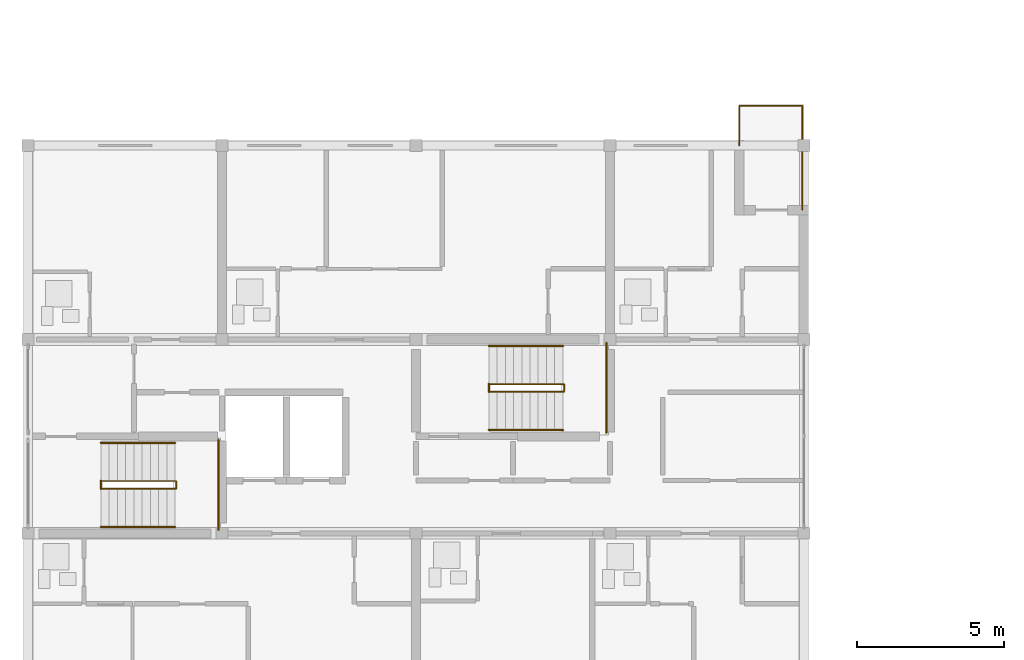
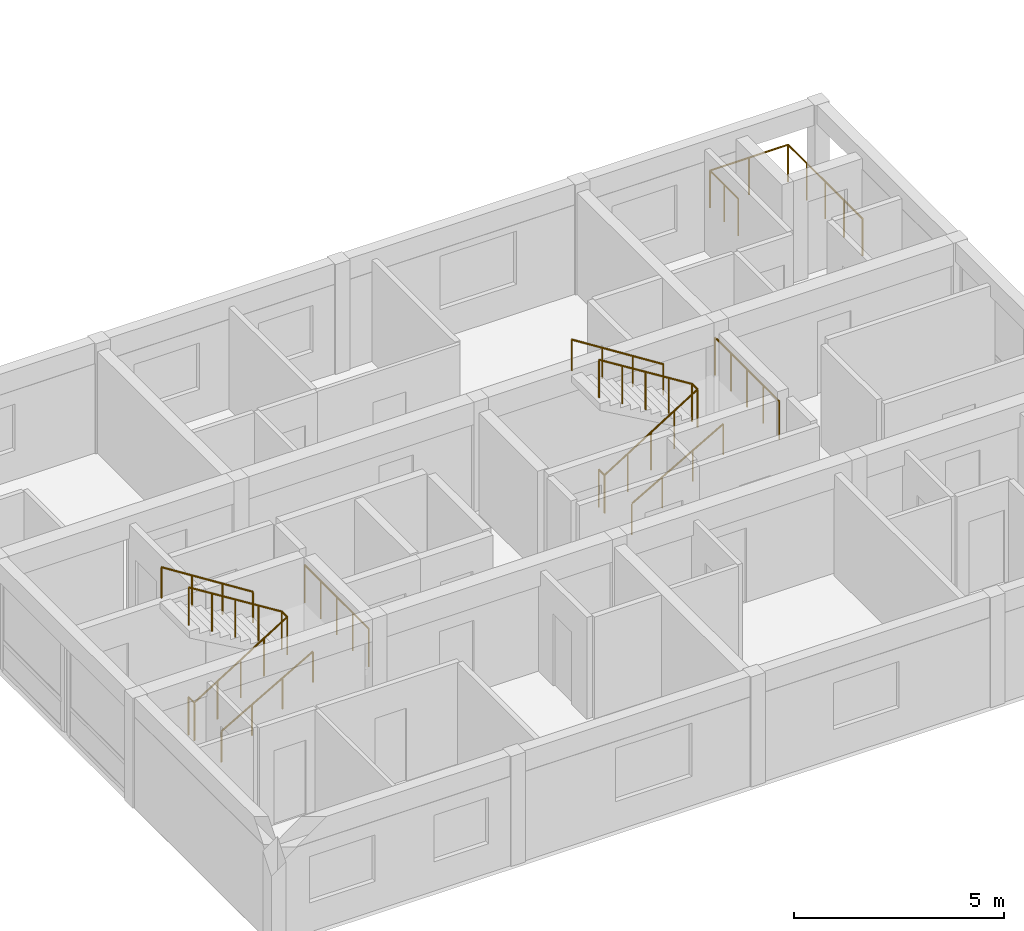
# One storey, part 40 of 45: 11 railings.
"""IFC4 building model written with IfcOpenShell, lengths in metres."""

from ifc_helpers import new_model, si_unit, direction, frame, origin, origin_2d, place, context, subcontext, project, spatial, circle, extrude, material, type_object, element, save


model = new_model("IFC4")

# Units and contexts
model_context = context("Model", 3, precision=1e-05, world=origin(), true_north=direction((0.0, 1.0)))
body_context = subcontext(model_context, "Body", "Model", "MODEL_VIEW")
ifc_project = project(units=[si_unit("LENGTHUNIT", "METRE"), si_unit("AREAUNIT", "SQUARE_METRE"), si_unit("VOLUMEUNIT", "CUBIC_METRE"), si_unit("PLANEANGLEUNIT", "RADIAN"), si_unit("MASSUNIT", "GRAM", prefix="KILO")], contexts=[model_context])

# Site, building, storey
site_placement = place(None, origin())
site = spatial("IfcSite", under=ifc_project, at=site_placement, CompositionType="ELEMENT")
building_placement = place(site_placement, origin())
building = spatial("IfcBuilding", under=site, at=building_placement, Name="Kernevlak Ridge Housing Community", CompositionType="ELEMENT")
storey_placement = place(building_placement, frame((0.0, 0.0, 21.199951171875)))
storey = spatial("IfcBuildingStorey", under=building, at=storey_placement, Name="L06", CompositionType="ELEMENT", Elevation=21.199951171875)

# Railings
ifc_material_1 = material(Name="Steel S355", Category="steel")
railing_type_1 = type_object("IfcRailingType", Name="BL-01", PredefinedType="BALUSTRADE", material=ifc_material_1)
railing_1_placement = place(storey_placement, frame((39.800048828125, 35.39990234375, 0.0)))
element("IfcRailing", 1, at=railing_1_placement, inside=storey, type_object=railing_type_1, Name="Block D L06 balcony balustrade BL-01 52", PredefinedType="BALUSTRADE", context=body_context, shape_type="SweptSolid", body=[
    extrude(circle(Radius=0.02392578125, at=origin_2d()), frame((0.0, 0.0, 1.076171875), z_axis=(0.0, 1.0, 0.0), x_axis=(-1.0, 0.0, 0.0)), (0.0, 0.0, 1.0), 1.35009765625),
    extrude(circle(Radius=0.02392578125, at=origin_2d()), frame((0.0, 1.35009765625, 1.076171875), z_axis=(1.0, 0.0, 0.0), x_axis=(0.0, 1.0, 0.0)), (0.0, 0.0, 1.0), 2.14990234375),
    extrude(circle(Radius=0.02392578125, at=origin_2d()), frame((2.14990234375, 1.35009765625, 1.076171875), z_axis=(0.0, -1.0, 0.0), x_axis=(1.0, 0.0, 0.0)), (0.0, 0.0, 1.0), 3.550048828125),
    extrude(circle(Radius=0.02099609375, at=origin_2d()), origin(), (0.0, 0.0, 1.0), 1.052001953125),
    extrude(circle(Radius=0.02099609375, at=origin_2d()), frame((0.0, 0.675048828125, 0.0)), (0.0, 0.0, 1.0), 1.052001953125),
    extrude(circle(Radius=0.02099609375, at=origin_2d()), frame((0.0, 1.35009765625, 0.0)), (0.0, 0.0, 1.0), 1.052001953125),
    extrude(circle(Radius=0.02099609375, at=origin_2d()), frame((1.074951171875, 1.35009765625, 0.0)), (0.0, 0.0, 1.0), 1.052001953125),
    extrude(circle(Radius=0.02099609375, at=origin_2d()), frame((2.14990234375, 1.35009765625, 0.0)), (0.0, 0.0, 1.0), 1.052001953125),
    extrude(circle(Radius=0.02099609375, at=origin_2d()), frame((2.14990234375, 0.462646484375, 0.0)), (0.0, 0.0, 1.0), 1.052001953125),
    extrude(circle(Radius=0.02099609375, at=origin_2d()), frame((2.14990234375, -0.4248046875, 0.0)), (0.0, 0.0, 1.0), 1.052001953125),
    extrude(circle(Radius=0.02099609375, at=origin_2d()), frame((2.14990234375, -1.3125, 0.0)), (0.0, 0.0, 1.0), 1.052001953125),
    extrude(circle(Radius=0.02099609375, at=origin_2d()), frame((2.14990234375, -2.199951171875, 0.0)), (0.0, 0.0, 1.0), 1.052001953125),
])
railing_type_2 = type_object("IfcRailingType", Name="GR-02", PredefinedType="GUARDRAIL", material=ifc_material_1)
railing_2_placement = place(storey_placement, frame((18.080078125, 23.7099609375, 0.0)))
element("IfcRailing", 2, at=railing_2_placement, inside=storey, type_object=railing_type_2, Name="Stair ST-D1 L06 well slot guard", PredefinedType="GUARDRAIL", context=body_context, shape_type="SweptSolid", body=[
    extrude(circle(Radius=0.02392578125, at=origin_2d()), frame((0.0, 0.0, 1.09619140625), z_axis=(0.0, 1.0, 0.0), x_axis=(-1.0, 0.0, 0.0)), (0.0, 0.0, 1.0), 0.280029296875),
    extrude(circle(Radius=0.02099609375, at=origin_2d()), origin(), (0.0, 0.0, 1.0), 1.072021484375),
    extrude(circle(Radius=0.02099609375, at=origin_2d()), frame((0.0, 0.280029296875, 0.0)), (0.0, 0.0, 1.0), 1.072021484375),
])
railing_3_placement = place(storey_placement, frame((18.080078125, 23.719970703125, 0.0)))
element("IfcRailing", 3, at=railing_3_placement, inside=storey, type_object=railing_type_2, Name="Stair ST-D1 L06 inner well guardrail", PredefinedType="GUARDRAIL", context=body_context, shape_type="SweptSolid", body=[
    extrude(circle(Radius=0.02392578125, at=origin_2d()), frame((0.0, 0.0, 1.09619140625), z_axis=(0.847966497998, 0.0, 0.530049826217), x_axis=(0.0, 1.0, 0.0)), (0.0, 0.0, 1.0), 3.018798828125),
    extrude(circle(Radius=0.02392578125, at=origin_2d()), frame((2.559814453125, 0.0, 2.6962890625), z_axis=(0.0, 1.0, 0.0), x_axis=(-1.0, 0.0, 0.0)), (0.0, 0.0, 1.0), 0.260009765625),
    extrude(circle(Radius=0.02392578125, at=origin_2d()), frame((2.559814453125, 0.260009765625, 2.6962890625), z_axis=(-0.848002847666, 0.0, 0.529991670077), x_axis=(0.0, -1.0, 0.0)), (0.0, 0.0, 1.0), 3.0185546875),
    extrude(circle(Radius=0.02099609375, at=origin_2d()), origin(), (0.0, 0.0, 1.0), 1.072021484375),
    extrude(circle(Radius=0.02099609375, at=origin_2d()), frame((0.639892578125, 0.0, 0.39990234375)), (0.0, 0.0, 1.0), 1.072021484375),
    extrude(circle(Radius=0.02099609375, at=origin_2d()), frame((1.27978515625, 0.0, 0.800048828125)), (0.0, 0.0, 1.0), 1.072021484375),
    extrude(circle(Radius=0.02099609375, at=origin_2d()), frame((1.919921875, 0.0, 1.2001953125)), (0.0, 0.0, 1.0), 1.072021484375),
    extrude(circle(Radius=0.02099609375, at=origin_2d()), frame((2.559814453125, 0.0, 1.60009765625)), (0.0, 0.0, 1.0), 1.072021484375),
    extrude(circle(Radius=0.02099609375, at=origin_2d()), frame((2.559814453125, 0.260009765625, 1.60009765625)), (0.0, 0.0, 1.0), 1.072021484375),
    extrude(circle(Radius=0.02099609375, at=origin_2d()), frame((1.919921875, 0.260009765625, 2.0)), (0.0, 0.0, 1.0), 1.072021484375),
    extrude(circle(Radius=0.02099609375, at=origin_2d()), frame((1.27978515625, 0.260009765625, 2.39990234375)), (0.0, 0.0, 1.0), 1.072021484375),
    extrude(circle(Radius=0.02099609375, at=origin_2d()), frame((0.639892578125, 0.260009765625, 2.800048828125)), (0.0, 0.0, 1.0), 1.072021484375),
    extrude(circle(Radius=0.02099609375, at=origin_2d()), frame((0.0, 0.260009765625, 3.199951171875)), (0.0, 0.0, 1.0), 1.072021484375),
])
railing_4_placement = place(storey_placement, frame((22.080078125, 22.320068359375, 1.60009765625)))
element("IfcRailing", 4, at=railing_4_placement, inside=storey, type_object=railing_type_2, Name="Stair ST-D1 L06 half-landing guard", PredefinedType="GUARDRAIL", context=body_context, shape_type="SweptSolid", body=[
    extrude(circle(Radius=0.02392578125, at=origin_2d()), frame((0.0, 0.0, 1.09619140625), z_axis=(0.0, 1.0, 0.0), x_axis=(-1.0, 0.0, 0.0)), (0.0, 0.0, 1.0), 3.059814453125),
    extrude(circle(Radius=0.02099609375, at=origin_2d()), origin(), (0.0, 0.0, 1.0), 1.072021484375),
    extrude(circle(Radius=0.02099609375, at=origin_2d()), frame((0.0, 0.764892578125, 0.0)), (0.0, 0.0, 1.0), 1.072021484375),
    extrude(circle(Radius=0.02099609375, at=origin_2d()), frame((0.0, 1.52978515625, 0.0)), (0.0, 0.0, 1.0), 1.072021484375),
    extrude(circle(Radius=0.02099609375, at=origin_2d()), frame((0.0, 2.294921875, 0.0)), (0.0, 0.0, 1.0), 1.072021484375),
    extrude(circle(Radius=0.02099609375, at=origin_2d()), frame((0.0, 3.059814453125, 0.0)), (0.0, 0.0, 1.0), 1.072021484375),
])
railing_5_placement = place(storey_placement, frame((31.280029296875, 27.010009765625, 0.0)))
element("IfcRailing", 5, at=railing_5_placement, inside=storey, type_object=railing_type_2, Name="Stair ST-D2 L06 well slot guard", PredefinedType="GUARDRAIL", context=body_context, shape_type="SweptSolid", body=[
    extrude(circle(Radius=0.02392578125, at=origin_2d()), frame((0.0, 0.0, 1.09619140625), z_axis=(0.0, 1.0, 0.0), x_axis=(-1.0, 0.0, 0.0)), (0.0, 0.0, 1.0), 0.280029296875),
    extrude(circle(Radius=0.02099609375, at=origin_2d()), origin(), (0.0, 0.0, 1.0), 1.072021484375),
    extrude(circle(Radius=0.02099609375, at=origin_2d()), frame((0.0, 0.280029296875, 0.0)), (0.0, 0.0, 1.0), 1.072021484375),
])
railing_6_placement = place(storey_placement, frame((31.280029296875, 27.02001953125, 0.0)))
element("IfcRailing", 6, at=railing_6_placement, inside=storey, type_object=railing_type_2, Name="Stair ST-D2 L06 inner well guardrail", PredefinedType="GUARDRAIL", context=body_context, shape_type="SweptSolid", body=[
    extrude(circle(Radius=0.02392578125, at=origin_2d()), frame((0.0, 0.0, 1.09619140625), z_axis=(0.847989217509, 0.0, 0.530013478119), x_axis=(0.0, 1.0, 0.0)), (0.0, 0.0, 1.0), 3.01904296875),
    extrude(circle(Radius=0.02392578125, at=origin_2d()), frame((2.56005859375, 0.0, 2.6962890625), z_axis=(0.0, 1.0, 0.0), x_axis=(-1.0, 0.0, 0.0)), (0.0, 0.0, 1.0), 0.260009765625),
    extrude(circle(Radius=0.02392578125, at=origin_2d()), frame((2.56005859375, 0.260009765625, 2.6962890625), z_axis=(-0.848025563165, 0.0, 0.529955322851), x_axis=(0.0, -1.0, 0.0)), (0.0, 0.0, 1.0), 3.018798828125),
    extrude(circle(Radius=0.02099609375, at=origin_2d()), origin(), (0.0, 0.0, 1.0), 1.072021484375),
    extrude(circle(Radius=0.02099609375, at=origin_2d()), frame((0.64013671875, 0.0, 0.39990234375)), (0.0, 0.0, 1.0), 1.072021484375),
    extrude(circle(Radius=0.02099609375, at=origin_2d()), frame((1.280029296875, 0.0, 0.800048828125)), (0.0, 0.0, 1.0), 1.072021484375),
    extrude(circle(Radius=0.02099609375, at=origin_2d()), frame((1.919921875, 0.0, 1.2001953125)), (0.0, 0.0, 1.0), 1.072021484375),
    extrude(circle(Radius=0.02099609375, at=origin_2d()), frame((2.56005859375, 0.0, 1.60009765625)), (0.0, 0.0, 1.0), 1.072021484375),
    extrude(circle(Radius=0.02099609375, at=origin_2d()), frame((2.56005859375, 0.260009765625, 1.60009765625)), (0.0, 0.0, 1.0), 1.072021484375),
    extrude(circle(Radius=0.02099609375, at=origin_2d()), frame((1.919921875, 0.260009765625, 2.0)), (0.0, 0.0, 1.0), 1.072021484375),
    extrude(circle(Radius=0.02099609375, at=origin_2d()), frame((1.280029296875, 0.260009765625, 2.39990234375)), (0.0, 0.0, 1.0), 1.072021484375),
    extrude(circle(Radius=0.02099609375, at=origin_2d()), frame((0.64013671875, 0.260009765625, 2.800048828125)), (0.0, 0.0, 1.0), 1.072021484375),
    extrude(circle(Radius=0.02099609375, at=origin_2d()), frame((0.0, 0.260009765625, 3.199951171875)), (0.0, 0.0, 1.0), 1.072021484375),
])
railing_7_placement = place(storey_placement, frame((35.280029296875, 25.6201171875, 1.60009765625)))
element("IfcRailing", 7, at=railing_7_placement, inside=storey, type_object=railing_type_2, Name="Stair ST-D2 L06 half-landing guard", PredefinedType="GUARDRAIL", context=body_context, shape_type="SweptSolid", body=[
    extrude(circle(Radius=0.02392578125, at=origin_2d()), frame((0.0, 0.0, 1.09619140625), z_axis=(0.0, 1.0, 0.0), x_axis=(-1.0, 0.0, 0.0)), (0.0, 0.0, 1.0), 3.059814453125),
    extrude(circle(Radius=0.02099609375, at=origin_2d()), origin(), (0.0, 0.0, 1.0), 1.072021484375),
    extrude(circle(Radius=0.02099609375, at=origin_2d()), frame((0.0, 0.764892578125, 0.0)), (0.0, 0.0, 1.0), 1.072021484375),
    extrude(circle(Radius=0.02099609375, at=origin_2d()), frame((0.0, 1.52978515625, 0.0)), (0.0, 0.0, 1.0), 1.072021484375),
    extrude(circle(Radius=0.02099609375, at=origin_2d()), frame((0.0, 2.294921875, 0.0)), (0.0, 0.0, 1.0), 1.072021484375),
    extrude(circle(Radius=0.02099609375, at=origin_2d()), frame((0.0, 3.059814453125, 0.0)), (0.0, 0.0, 1.0), 1.072021484375),
])
ifc_material_2 = material(Name="Stainless steel EN 1.4401", Category="steel")
railing_type_3 = type_object("IfcRailingType", Name="HR-01", PredefinedType="HANDRAIL", material=ifc_material_2)
railing_8_placement = place(storey_placement, frame((18.080078125, 22.419921875, 0.16015625)))
element("IfcRailing", 8, at=railing_8_placement, inside=storey, type_object=railing_type_3, Name="Stair ST-D1 L06 flight 1 handrail", PredefinedType="HANDRAIL", context=body_context, shape_type="SweptSolid", body=[
    extrude(circle(Radius=0.02392578125, at=origin_2d()), frame((0.0, 0.0, 0.89599609375), z_axis=(0.868253494771, 0.0, 0.496120820787), x_axis=(0.0, 1.0, 0.0)), (0.0, 0.0, 1.0), 2.90234375),
    extrude(circle(Radius=0.02099609375, at=origin_2d()), origin(), (0.0, 0.0, 1.0), 0.871826171875),
    extrude(circle(Radius=0.02099609375, at=origin_2d()), frame((0.840087890625, 0.0, 0.47998046875)), (0.0, 0.0, 1.0), 0.871826171875),
    extrude(circle(Radius=0.02099609375, at=origin_2d()), frame((1.679931640625, 0.0, 0.9599609375)), (0.0, 0.0, 1.0), 0.871826171875),
    extrude(circle(Radius=0.02099609375, at=origin_2d()), frame((2.52001953125, 0.0, 1.43994140625)), (0.0, 0.0, 1.0), 0.871826171875),
])
railing_9_placement = place(storey_placement, frame((20.60009765625, 25.280029296875, 1.60009765625)))
element("IfcRailing", 9, at=railing_9_placement, inside=storey, type_object=railing_type_3, Name="Stair ST-D1 L06 flight 2 handrail", PredefinedType="HANDRAIL", context=body_context, shape_type="SweptSolid", body=[
    extrude(circle(Radius=0.02392578125, at=origin_2d()), frame((0.0, 0.0, 0.89599609375), z_axis=(-0.84423690053, 0.0, 0.535970200462), x_axis=(0.0, -1.0, 0.0)), (0.0, 0.0, 1.0), 2.98486328125),
    extrude(circle(Radius=0.02099609375, at=origin_2d()), origin(), (0.0, 0.0, 1.0), 0.871826171875),
    extrude(circle(Radius=0.02099609375, at=origin_2d()), frame((-0.840087890625, 0.0, 0.533203125)), (0.0, 0.0, 1.0), 0.871826171875),
    extrude(circle(Radius=0.02099609375, at=origin_2d()), frame((-1.679931640625, 0.0, 1.066650390625)), (0.0, 0.0, 1.0), 0.871826171875),
    extrude(circle(Radius=0.02099609375, at=origin_2d()), frame((-2.52001953125, 0.0, 1.599853515625)), (0.0, 0.0, 1.0), 0.871826171875),
])
railing_10_placement = place(storey_placement, frame((31.280029296875, 25.719970703125, 0.16015625)))
element("IfcRailing", 10, at=railing_10_placement, inside=storey, type_object=railing_type_3, Name="Stair ST-D2 L06 flight 1 handrail", PredefinedType="HANDRAIL", context=body_context, shape_type="SweptSolid", body=[
    extrude(circle(Radius=0.02392578125, at=origin_2d()), frame((0.0, 0.0, 0.89599609375), z_axis=(0.868253494771, 0.0, 0.496120820787), x_axis=(0.0, 1.0, 0.0)), (0.0, 0.0, 1.0), 2.90234375),
    extrude(circle(Radius=0.02099609375, at=origin_2d()), origin(), (0.0, 0.0, 1.0), 0.871826171875),
    extrude(circle(Radius=0.02099609375, at=origin_2d()), frame((0.840087890625, 0.0, 0.47998046875)), (0.0, 0.0, 1.0), 0.871826171875),
    extrude(circle(Radius=0.02099609375, at=origin_2d()), frame((1.679931640625, 0.0, 0.9599609375)), (0.0, 0.0, 1.0), 0.871826171875),
    extrude(circle(Radius=0.02099609375, at=origin_2d()), frame((2.52001953125, 0.0, 1.43994140625)), (0.0, 0.0, 1.0), 0.871826171875),
])
railing_11_placement = place(storey_placement, frame((33.800048828125, 28.580078125, 1.60009765625)))
element("IfcRailing", 11, at=railing_11_placement, inside=storey, type_object=railing_type_3, Name="Stair ST-D2 L06 flight 2 handrail", PredefinedType="HANDRAIL", context=body_context, shape_type="SweptSolid", body=[
    extrude(circle(Radius=0.02392578125, at=origin_2d()), frame((0.0, 0.0, 0.89599609375), z_axis=(-0.84423690053, 0.0, 0.535970200462), x_axis=(0.0, -1.0, 0.0)), (0.0, 0.0, 1.0), 2.98486328125),
    extrude(circle(Radius=0.02099609375, at=origin_2d()), origin(), (0.0, 0.0, 1.0), 0.871826171875),
    extrude(circle(Radius=0.02099609375, at=origin_2d()), frame((-0.840087890625, 0.0, 0.533203125)), (0.0, 0.0, 1.0), 0.871826171875),
    extrude(circle(Radius=0.02099609375, at=origin_2d()), frame((-1.679931640625, 0.0, 1.066650390625)), (0.0, 0.0, 1.0), 0.871826171875),
    extrude(circle(Radius=0.02099609375, at=origin_2d()), frame((-2.52001953125, 0.0, 1.599853515625)), (0.0, 0.0, 1.0), 0.871826171875),
])

save(model, "model.ifc")
